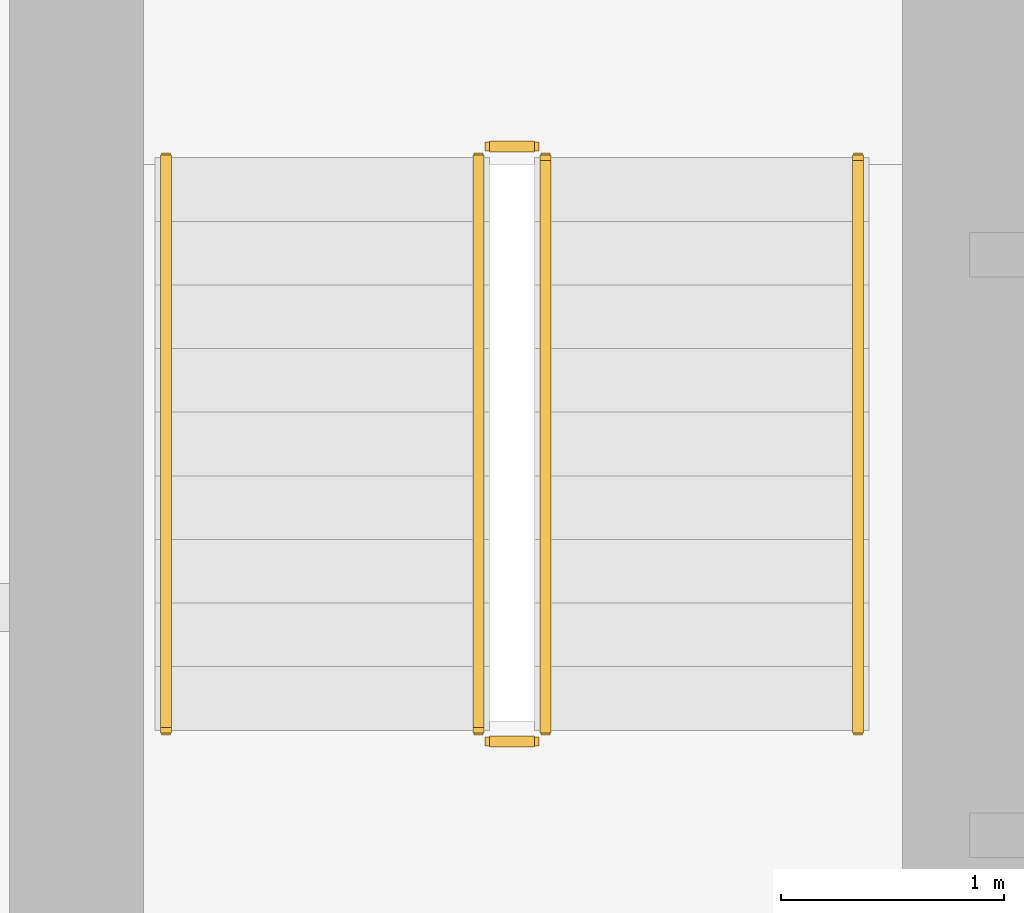
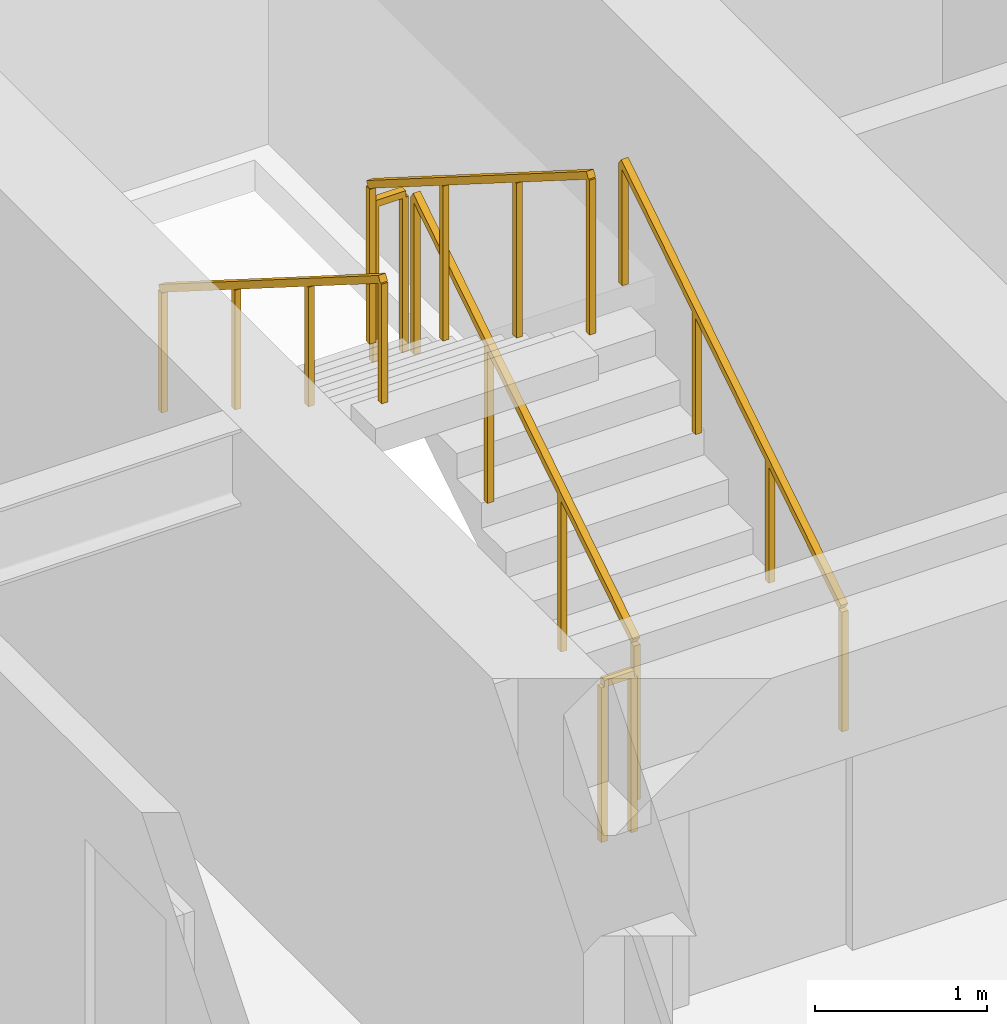
# One storey, part 24 of 26: 6 railings.
"""IFC4 building model written with IfcOpenShell, lengths in metres."""

from ifc_helpers import new_model, si_unit, direction, frame, origin, origin_2d, place, context, subcontext, project, spatial, rectangle, extrude, material, type_object, element, save


model = new_model("IFC4")

# Units and contexts
model_context = context("Model", 3, precision=1e-05, world=origin(), true_north=direction((0.0, 1.0)))
body_context = subcontext(model_context, "Body", "Model", "MODEL_VIEW")
ifc_project = project(units=[si_unit("LENGTHUNIT", "METRE"), si_unit("AREAUNIT", "SQUARE_METRE"), si_unit("VOLUMEUNIT", "CUBIC_METRE"), si_unit("PLANEANGLEUNIT", "RADIAN"), si_unit("MASSUNIT", "GRAM", prefix="KILO")], contexts=[model_context])

# Site, building, storey
site_placement = place(None, origin())
site = spatial("IfcSite", under=ifc_project, at=site_placement, CompositionType="ELEMENT")
building_placement = place(site_placement, origin())
building = spatial("IfcBuilding", under=site, at=building_placement, Name="Sarneth Arch Tower", CompositionType="ELEMENT")
storey_placement = place(building_placement, frame((0.0, 0.0, 71.39990234375)))
storey = spatial("IfcBuildingStorey", under=building, at=storey_placement, Name="L17", CompositionType="ELEMENT", Elevation=71.39990234375)

# Railings
ifc_material_1 = material(Name="Brushed Stainless Steel 304 tubular handrail", Category="steel")
railing_type_1 = type_object("IfcRailingType", Name="RAIL-HANDRAIL-900", PredefinedType="HANDRAIL", material=ifc_material_1)
railing_1_placement = place(storey_placement, frame((40.5, 41.449951171875, 0.18017578125)))
element("IfcRailing", 1, at=railing_1_placement, inside=storey, type_object=railing_type_1, Name="L17 ST-1 stair handrail 1", PredefinedType="HANDRAIL", context=body_context, shape_type="SweptSolid", body=[
    extrude(rectangle(XDim=0.048095703125, YDim=0.048095703125, at=origin_2d()), frame((0.0, 0.0, 0.8759765625), z_axis=(0.0, 0.845502289212, 0.533971796014), x_axis=(-1.0, 0.0, 0.0)), (0.0, 0.0, 1.0), 3.03369140625),
    extrude(rectangle(XDim=0.0419921875, YDim=0.0419921875, at=origin_2d()), origin(), (0.0, 0.0, 1.0), 0.851806640625),
    extrude(rectangle(XDim=0.0419921875, YDim=0.0419921875, at=origin_2d()), frame((0.0, 0.85498046875, 0.5400390625)), (0.0, 0.0, 1.0), 0.851806640625),
    extrude(rectangle(XDim=0.0419921875, YDim=0.0419921875, at=origin_2d()), frame((0.0, 1.7099609375, 1.079833984375)), (0.0, 0.0, 1.0), 0.851806640625),
    extrude(rectangle(XDim=0.0419921875, YDim=0.0419921875, at=origin_2d()), frame((0.0, 2.56494140625, 1.619873046875)), (0.0, 0.0, 1.0), 0.851806640625),
])
railing_2_placement = place(storey_placement, frame((37.39990234375, 44.014892578125, 1.97998046875)))
element("IfcRailing", 2, at=railing_2_placement, inside=storey, type_object=railing_type_1, Name="L17 ST-1 stair handrail 2", PredefinedType="HANDRAIL", context=body_context, shape_type="SweptSolid", body=[
    extrude(rectangle(XDim=0.048095703125, YDim=0.048095703125, at=origin_2d()), frame((0.0, 0.0, 0.8759765625), z_axis=(0.0, -0.845465955043, 0.534029323973), x_axis=(1.0, 0.0, 0.0)), (0.0, 0.0, 1.0), 3.03369140625),
    extrude(rectangle(XDim=0.0419921875, YDim=0.0419921875, at=origin_2d()), origin(), (0.0, 0.0, 1.0), 0.851806640625),
    extrude(rectangle(XDim=0.0419921875, YDim=0.0419921875, at=origin_2d()), frame((0.0, -0.85498046875, 0.5400390625)), (0.0, 0.0, 1.0), 0.851806640625),
    extrude(rectangle(XDim=0.0419921875, YDim=0.0419921875, at=origin_2d()), frame((0.0, -1.7099609375, 1.080078125)), (0.0, 0.0, 1.0), 0.851806640625),
    extrude(rectangle(XDim=0.0419921875, YDim=0.0419921875, at=origin_2d()), frame((0.0, -2.56494140625, 1.6201171875)), (0.0, 0.0, 1.0), 0.851806640625),
])
ifc_material_2 = material(Name="Painted Steel S275 stair well guard", Category="steel")
railing_type_2 = type_object("IfcRailingType", Name="RAIL-STAIR-GUARD", PredefinedType="GUARDRAIL", material=ifc_material_2)
railing_3_placement = place(storey_placement, frame((39.10009765625, 41.449951171875, 0.18017578125)))
element("IfcRailing", 3, at=railing_3_placement, inside=storey, type_object=railing_type_2, Name="L17 ST-1 stair guard 1", PredefinedType="GUARDRAIL", context=body_context, shape_type="SweptSolid", body=[
    extrude(rectangle(XDim=0.048095703125, YDim=0.048095703125, at=origin_2d()), frame((0.0, 0.0, 1.1259765625), z_axis=(0.0, 0.845502289212, 0.533971796014), x_axis=(-1.0, 0.0, 0.0)), (0.0, 0.0, 1.0), 3.03369140625),
    extrude(rectangle(XDim=0.0419921875, YDim=0.0419921875, at=origin_2d()), origin(), (0.0, 0.0, 1.0), 1.101806640625),
    extrude(rectangle(XDim=0.0419921875, YDim=0.0419921875, at=origin_2d()), frame((0.0, 0.85498046875, 0.5400390625)), (0.0, 0.0, 1.0), 1.101806640625),
    extrude(rectangle(XDim=0.0419921875, YDim=0.0419921875, at=origin_2d()), frame((0.0, 1.7099609375, 1.079833984375)), (0.0, 0.0, 1.0), 1.101806640625),
    extrude(rectangle(XDim=0.0419921875, YDim=0.0419921875, at=origin_2d()), frame((0.0, 2.56494140625, 1.619873046875)), (0.0, 0.0, 1.0), 1.101806640625),
])
railing_4_placement = place(storey_placement, frame((39.050048828125, 44.06494140625, 1.800048828125)))
element("IfcRailing", 4, at=railing_4_placement, inside=storey, type_object=railing_type_2, Name="L17 ST-1 stair guard 2", PredefinedType="GUARDRAIL", context=body_context, shape_type="SweptSolid", body=[
    extrude(rectangle(XDim=0.048095703125, YDim=0.048095703125, at=origin_2d()), frame((0.0, 0.0, 1.1259765625), z_axis=(-1.0, 0.0, 0.0), x_axis=(0.0, -1.0, 0.0)), (0.0, 0.0, 1.0), 0.199951171875),
    extrude(rectangle(XDim=0.0419921875, YDim=0.0419921875, at=origin_2d()), origin(), (0.0, 0.0, 1.0), 1.101806640625),
    extrude(rectangle(XDim=0.0419921875, YDim=0.0419921875, at=origin_2d()), frame((-0.199951171875, 0.0, 0.0)), (0.0, 0.0, 1.0), 1.101806640625),
])
railing_5_placement = place(storey_placement, frame((38.800048828125, 44.014892578125, 1.97998046875)))
element("IfcRailing", 5, at=railing_5_placement, inside=storey, type_object=railing_type_2, Name="L17 ST-1 stair guard 3", PredefinedType="GUARDRAIL", context=body_context, shape_type="SweptSolid", body=[
    extrude(rectangle(XDim=0.048095703125, YDim=0.048095703125, at=origin_2d()), frame((0.0, 0.0, 1.1259765625), z_axis=(0.0, -0.845465955043, 0.534029323973), x_axis=(1.0, 0.0, 0.0)), (0.0, 0.0, 1.0), 3.03369140625),
    extrude(rectangle(XDim=0.0419921875, YDim=0.0419921875, at=origin_2d()), origin(), (0.0, 0.0, 1.0), 1.101806640625),
    extrude(rectangle(XDim=0.0419921875, YDim=0.0419921875, at=origin_2d()), frame((0.0, -0.85498046875, 0.5400390625)), (0.0, 0.0, 1.0), 1.101806640625),
    extrude(rectangle(XDim=0.0419921875, YDim=0.0419921875, at=origin_2d()), frame((0.0, -1.7099609375, 1.080078125)), (0.0, 0.0, 1.0), 1.101806640625),
    extrude(rectangle(XDim=0.0419921875, YDim=0.0419921875, at=origin_2d()), frame((0.0, -2.56494140625, 1.6201171875)), (0.0, 0.0, 1.0), 1.101806640625),
])
railing_6_placement = place(storey_placement, frame((39.050048828125, 41.39990234375, 0.0)))
element("IfcRailing", 6, at=railing_6_placement, inside=storey, type_object=railing_type_2, Name="L17 ST-1 stair guard 4", PredefinedType="GUARDRAIL", context=body_context, shape_type="SweptSolid", body=[
    extrude(rectangle(XDim=0.048095703125, YDim=0.048095703125, at=origin_2d()), frame((0.0, 0.0, 1.1259765625), z_axis=(-1.0, 0.0, 0.0), x_axis=(0.0, -1.0, 0.0)), (0.0, 0.0, 1.0), 0.199951171875),
    extrude(rectangle(XDim=0.0419921875, YDim=0.0419921875, at=origin_2d()), origin(), (0.0, 0.0, 1.0), 1.101806640625),
    extrude(rectangle(XDim=0.0419921875, YDim=0.0419921875, at=origin_2d()), frame((-0.199951171875, 0.0, 0.0)), (0.0, 0.0, 1.0), 1.101806640625),
])

save(model, "model.ifc")
